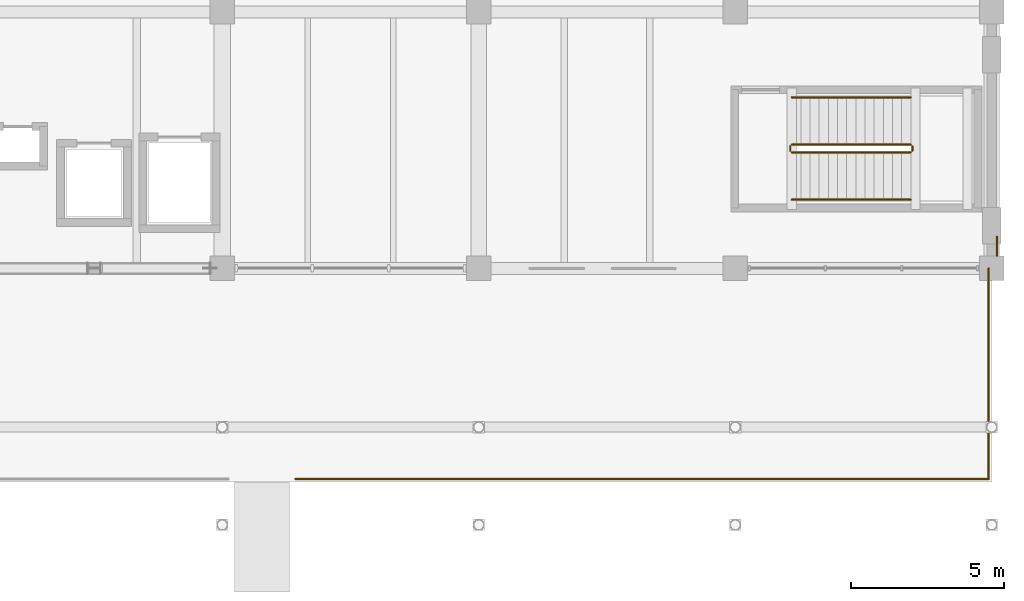
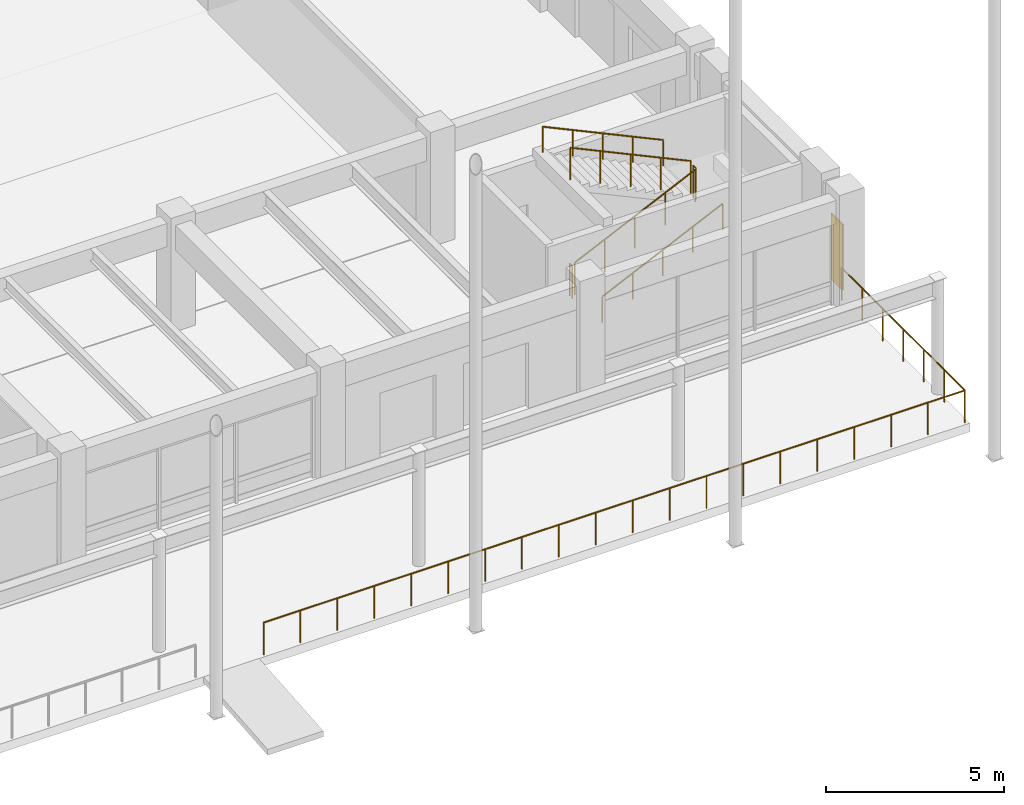
# One storey, part 128 of 135: 8 railings, 1 covering.
"""IFC4 building model written with IfcOpenShell, lengths in metres."""

from ifc_helpers import new_model, si_unit, direction, frame, origin, origin_2d, place, context, subcontext, project, spatial, polyline, circle, outline, extrude, material, layer, layer_set, type_object, element, save


model = new_model("IFC4")

# Units and contexts
model_context = context("Model", 3, precision=1e-05, world=origin(), true_north=direction((0.0, 1.0)))
body_context = subcontext(model_context, "Body", "Model", "MODEL_VIEW")
ifc_project = project(units=[si_unit("LENGTHUNIT", "METRE"), si_unit("AREAUNIT", "SQUARE_METRE"), si_unit("VOLUMEUNIT", "CUBIC_METRE"), si_unit("PLANEANGLEUNIT", "RADIAN"), si_unit("MASSUNIT", "GRAM", prefix="KILO")], contexts=[model_context])

# Site, building, storey
site_placement = place(None, origin())
site = spatial("IfcSite", under=ifc_project, at=site_placement, CompositionType="ELEMENT")
building_placement = place(site_placement, origin())
building = spatial("IfcBuilding", under=site, at=building_placement, Name="Cumbredor Promenade Congress Hotel", CompositionType="ELEMENT")
storey_placement = place(building_placement, origin())
storey = spatial("IfcBuildingStorey", under=building, at=storey_placement, Name="L00", CompositionType="ELEMENT", Elevation=0.0)

# Covering
ifc_material_1 = material(Name="Precast concrete C40/50", Category="concrete")
ifc_layer = layer(ifc_material_1, 0.044921875, Name="Precast concrete C40/50", Category="concrete")
ifc_layer_set = layer_set([ifc_layer], Name="Precast concrete C40/50")
covering_type = type_object("IfcCoveringType", Name="Board-Formed Architectural Cladding Panel 45mm", PredefinedType="CLADDING", material=ifc_layer_set)
covering_placement = place(storey_placement, origin())
element("IfcCovering", 1, at=covering_placement, inside=storey, type_object=covering_type, Name="L00 Facade Stone Cladding Pier 016", PredefinedType="CLADDING", context=body_context, shape_type="SweptSolid", body=[
    extrude(outline(polyline([(184.949951171875, 8.801025390625), (184.949951171875, 9.450927734375), (184.9951171875, 9.450927734375), (184.9951171875, 8.801025390625), (184.949951171875, 8.801025390625)])), origin(), (0.0, 0.0, 1.0), 2.25),
])

# Railings
ifc_material_2 = material(Name="Brushed stainless steel", Category="steel")
railing_type_1 = type_object("IfcRailingType", Name="Interior Void & Stair Guardrail GR-1100", PredefinedType="GUARDRAIL", material=ifc_material_2)
railing_1_placement = place(storey_placement, frame((178.25, 12.199951171875, 0.139892578125)))
element("IfcRailing", 2, at=railing_1_placement, inside=storey, type_object=railing_type_1, Name="L00 ST-09 stair guard 1", PredefinedType="GUARDRAIL", context=body_context, shape_type="SweptSolid", body=[
    extrude(circle(Radius=0.02392578125, at=origin_2d()), frame((0.0, 0.0, 1.09619140625), z_axis=(0.906172994947, 0.0, 0.42290720404), x_axis=(0.0, 1.0, 0.0)), (0.0, 0.0, 1.0), 4.3037109375),
    extrude(circle(Radius=0.02099609375, at=origin_2d()), origin(), (0.0, 0.0, 1.0), 1.072021484375),
    extrude(circle(Radius=0.02099609375, at=origin_2d()), frame((0.97509765625, 0.0, 0.455078125)), (0.0, 0.0, 1.0), 1.072021484375),
    extrude(circle(Radius=0.02099609375, at=origin_2d()), frame((1.949951171875, 0.0, 0.91015625)), (0.0, 0.0, 1.0), 1.072021484375),
    extrude(circle(Radius=0.02099609375, at=origin_2d()), frame((2.9248046875, 0.0, 1.364990234375)), (0.0, 0.0, 1.0), 1.072021484375),
    extrude(circle(Radius=0.02099609375, at=origin_2d()), frame((3.89990234375, 0.0, 1.820068359375)), (0.0, 0.0, 1.0), 1.072021484375),
])
railing_2_placement = place(storey_placement, frame((182.199951171875, 12.25, 1.9599609375)))
element("IfcRailing", 3, at=railing_2_placement, inside=storey, type_object=railing_type_1, Name="L00 ST-09 stair guard 2", PredefinedType="GUARDRAIL", context=body_context, shape_type="SweptSolid", body=[
    extrude(circle(Radius=0.02392578125, at=origin_2d()), frame((0.0, 0.0, 1.09619140625), z_axis=(0.0, 1.0, 0.0), x_axis=(-1.0, 0.0, 0.0)), (0.0, 0.0, 1.0), 0.14990234375),
    extrude(circle(Radius=0.02099609375, at=origin_2d()), origin(), (0.0, 0.0, 1.0), 1.072021484375),
    extrude(circle(Radius=0.02099609375, at=origin_2d()), frame((0.0, 0.14990234375, 0.0)), (0.0, 0.0, 1.0), 1.072021484375),
])
railing_3_placement = place(storey_placement, frame((182.14990234375, 12.449951171875, 2.10009765625)))
element("IfcRailing", 4, at=railing_3_placement, inside=storey, type_object=railing_type_1, Name="L00 ST-09 stair guard 3", PredefinedType="GUARDRAIL", context=body_context, shape_type="SweptSolid", body=[
    extrude(circle(Radius=0.02392578125, at=origin_2d()), frame((0.0, 0.0, 1.09619140625), z_axis=(-0.906194733976, 0.0, 0.422860620199), x_axis=(0.0, -1.0, 0.0)), (0.0, 0.0, 1.0), 4.3037109375),
    extrude(circle(Radius=0.02099609375, at=origin_2d()), origin(), (0.0, 0.0, 1.0), 1.072021484375),
    extrude(circle(Radius=0.02099609375, at=origin_2d()), frame((-0.97509765625, 0.0, 0.455078125)), (0.0, 0.0, 1.0), 1.072021484375),
    extrude(circle(Radius=0.02099609375, at=origin_2d()), frame((-1.949951171875, 0.0, 0.909912109375)), (0.0, 0.0, 1.0), 1.072021484375),
    extrude(circle(Radius=0.02099609375, at=origin_2d()), frame((-2.9248046875, 0.0, 1.36474609375)), (0.0, 0.0, 1.0), 1.072021484375),
    extrude(circle(Radius=0.02099609375, at=origin_2d()), frame((-3.89990234375, 0.0, 1.81982421875)), (0.0, 0.0, 1.0), 1.072021484375),
])
railing_4_placement = place(storey_placement, frame((178.199951171875, 12.25, 0.0)))
element("IfcRailing", 5, at=railing_4_placement, inside=storey, type_object=railing_type_1, Name="L00 ST-09 stair guard 4", PredefinedType="GUARDRAIL", context=body_context, shape_type="SweptSolid", body=[
    extrude(circle(Radius=0.02392578125, at=origin_2d()), frame((0.0, 0.0, 1.09619140625), z_axis=(0.0, 1.0, 0.0), x_axis=(-1.0, 0.0, 0.0)), (0.0, 0.0, 1.0), 0.14990234375),
    extrude(circle(Radius=0.02099609375, at=origin_2d()), origin(), (0.0, 0.0, 1.0), 1.072021484375),
    extrude(circle(Radius=0.02099609375, at=origin_2d()), frame((0.0, 0.14990234375, 0.0)), (0.0, 0.0, 1.0), 1.072021484375),
])
railing_type_2 = type_object("IfcRailingType", Name="Stair Pitch Handrail HR-900", PredefinedType="HANDRAIL", material=ifc_material_2)
railing_5_placement = place(storey_placement, frame((178.25, 10.64990234375, 0.139892578125)))
element("IfcRailing", 6, at=railing_5_placement, inside=storey, type_object=railing_type_2, Name="L00 ST-09 stair handrail 1", PredefinedType="HANDRAIL", context=body_context, shape_type="SweptSolid", body=[
    extrude(circle(Radius=0.02392578125, at=origin_2d()), frame((0.0, 0.0, 0.8759765625), z_axis=(0.906172994947, 0.0, 0.42290720404), x_axis=(0.0, 1.0, 0.0)), (0.0, 0.0, 1.0), 4.3037109375),
    extrude(circle(Radius=0.02099609375, at=origin_2d()), origin(), (0.0, 0.0, 1.0), 0.851806640625),
    extrude(circle(Radius=0.02099609375, at=origin_2d()), frame((0.97509765625, 0.0, 0.455078125)), (0.0, 0.0, 1.0), 0.851806640625),
    extrude(circle(Radius=0.02099609375, at=origin_2d()), frame((1.949951171875, 0.0, 0.91015625)), (0.0, 0.0, 1.0), 0.851806640625),
    extrude(circle(Radius=0.02099609375, at=origin_2d()), frame((2.9248046875, 0.0, 1.364990234375)), (0.0, 0.0, 1.0), 0.851806640625),
    extrude(circle(Radius=0.02099609375, at=origin_2d()), frame((3.89990234375, 0.0, 1.820068359375)), (0.0, 0.0, 1.0), 0.851806640625),
])
railing_6_placement = place(storey_placement, frame((182.14990234375, 14.0, 2.10009765625)))
element("IfcRailing", 7, at=railing_6_placement, inside=storey, type_object=railing_type_2, Name="L00 ST-09 stair handrail 2", PredefinedType="HANDRAIL", context=body_context, shape_type="SweptSolid", body=[
    extrude(circle(Radius=0.02392578125, at=origin_2d()), frame((0.0, 0.0, 0.8759765625), z_axis=(-0.906194733976, 0.0, 0.422860620199), x_axis=(0.0, -1.0, 0.0)), (0.0, 0.0, 1.0), 4.3037109375),
    extrude(circle(Radius=0.02099609375, at=origin_2d()), origin(), (0.0, 0.0, 1.0), 0.851806640625),
    extrude(circle(Radius=0.02099609375, at=origin_2d()), frame((-0.97509765625, 0.0, 0.455078125)), (0.0, 0.0, 1.0), 0.851806640625),
    extrude(circle(Radius=0.02099609375, at=origin_2d()), frame((-1.949951171875, 0.0, 0.909912109375)), (0.0, 0.0, 1.0), 0.851806640625),
    extrude(circle(Radius=0.02099609375, at=origin_2d()), frame((-2.9248046875, 0.0, 1.36474609375)), (0.0, 0.0, 1.0), 0.851806640625),
    extrude(circle(Radius=0.02099609375, at=origin_2d()), frame((-3.89990234375, 0.0, 1.81982421875)), (0.0, 0.0, 1.0), 0.851806640625),
])
railing_type_3 = type_object("IfcRailingType", Name="Terrace Perimeter Balustrade BAL-1120", PredefinedType="BALUSTRADE", material=ifc_material_2)
railing_7_placement = place(storey_placement, frame((162.0, 1.5, 0.0)))
element("IfcRailing", 8, at=railing_7_placement, inside=storey, type_object=railing_type_3, Name="L00 Promenade Terrace Balustrade 08", PredefinedType="BALUSTRADE", context=body_context, shape_type="SweptSolid", body=[
    extrude(circle(Radius=0.02392578125, at=origin_2d()), frame((0.0, 0.0, 1.09619140625), z_axis=(1.0, 0.0, 0.0), x_axis=(0.0, 1.0, 0.0)), (0.0, 0.0, 1.0), 22.699951171875),
    extrude(circle(Radius=0.02099609375, at=origin_2d()), origin(), (0.0, 0.0, 1.0), 1.072021484375),
    extrude(circle(Radius=0.02099609375, at=origin_2d()), frame((1.19482421875, 0.0, 0.0)), (0.0, 0.0, 1.0), 1.072021484375),
    extrude(circle(Radius=0.02099609375, at=origin_2d()), frame((2.389404296875, 0.0, 0.0)), (0.0, 0.0, 1.0), 1.072021484375),
    extrude(circle(Radius=0.02099609375, at=origin_2d()), frame((3.584228515625, 0.0, 0.0)), (0.0, 0.0, 1.0), 1.072021484375),
    extrude(circle(Radius=0.02099609375, at=origin_2d()), frame((4.779052734375, 0.0, 0.0)), (0.0, 0.0, 1.0), 1.072021484375),
    extrude(circle(Radius=0.02099609375, at=origin_2d()), frame((5.9736328125, 0.0, 0.0)), (0.0, 0.0, 1.0), 1.072021484375),
    extrude(circle(Radius=0.02099609375, at=origin_2d()), frame((7.16845703125, 0.0, 0.0)), (0.0, 0.0, 1.0), 1.072021484375),
    extrude(circle(Radius=0.02099609375, at=origin_2d()), frame((8.363037109375, 0.0, 0.0)), (0.0, 0.0, 1.0), 1.072021484375),
    extrude(circle(Radius=0.02099609375, at=origin_2d()), frame((9.557861328125, 0.0, 0.0)), (0.0, 0.0, 1.0), 1.072021484375),
    extrude(circle(Radius=0.02099609375, at=origin_2d()), frame((10.752685546875, 0.0, 0.0)), (0.0, 0.0, 1.0), 1.072021484375),
    extrude(circle(Radius=0.02099609375, at=origin_2d()), frame((11.947265625, 0.0, 0.0)), (0.0, 0.0, 1.0), 1.072021484375),
    extrude(circle(Radius=0.02099609375, at=origin_2d()), frame((13.14208984375, 0.0, 0.0)), (0.0, 0.0, 1.0), 1.072021484375),
    extrude(circle(Radius=0.02099609375, at=origin_2d()), frame((14.3369140625, 0.0, 0.0)), (0.0, 0.0, 1.0), 1.072021484375),
    extrude(circle(Radius=0.02099609375, at=origin_2d()), frame((15.531494140625, 0.0, 0.0)), (0.0, 0.0, 1.0), 1.072021484375),
    extrude(circle(Radius=0.02099609375, at=origin_2d()), frame((16.726318359375, 0.0, 0.0)), (0.0, 0.0, 1.0), 1.072021484375),
    extrude(circle(Radius=0.02099609375, at=origin_2d()), frame((17.9208984375, 0.0, 0.0)), (0.0, 0.0, 1.0), 1.072021484375),
    extrude(circle(Radius=0.02099609375, at=origin_2d()), frame((19.11572265625, 0.0, 0.0)), (0.0, 0.0, 1.0), 1.072021484375),
    extrude(circle(Radius=0.02099609375, at=origin_2d()), frame((20.310546875, 0.0, 0.0)), (0.0, 0.0, 1.0), 1.072021484375),
    extrude(circle(Radius=0.02099609375, at=origin_2d()), frame((21.505126953125, 0.0, 0.0)), (0.0, 0.0, 1.0), 1.072021484375),
    extrude(circle(Radius=0.02099609375, at=origin_2d()), frame((22.699951171875, 0.0, 0.0)), (0.0, 0.0, 1.0), 1.072021484375),
])
railing_8_placement = place(storey_placement, frame((184.699951171875, 1.5, 0.0)))
element("IfcRailing", 9, at=railing_8_placement, inside=storey, type_object=railing_type_3, Name="L00 Promenade Terrace Balustrade 10", PredefinedType="BALUSTRADE", context=body_context, shape_type="SweptSolid", body=[
    extrude(circle(Radius=0.02392578125, at=origin_2d()), frame((0.0, 0.0, 1.09619140625), z_axis=(0.0, 1.0, 0.0), x_axis=(-1.0, 0.0, 0.0)), (0.0, 0.0, 1.0), 6.89990234375),
    extrude(circle(Radius=0.02099609375, at=origin_2d()), origin(), (0.0, 0.0, 1.0), 1.072021484375),
    extrude(circle(Radius=0.02099609375, at=origin_2d()), frame((0.0, 1.14990234375, 0.0)), (0.0, 0.0, 1.0), 1.072021484375),
    extrude(circle(Radius=0.02099609375, at=origin_2d()), frame((0.0, 2.300048828125, 0.0)), (0.0, 0.0, 1.0), 1.072021484375),
    extrude(circle(Radius=0.02099609375, at=origin_2d()), frame((0.0, 3.449951171875, 0.0)), (0.0, 0.0, 1.0), 1.072021484375),
    extrude(circle(Radius=0.02099609375, at=origin_2d()), frame((0.0, 4.599853515625, 0.0)), (0.0, 0.0, 1.0), 1.072021484375),
    extrude(circle(Radius=0.02099609375, at=origin_2d()), frame((0.0, 5.75, 0.0)), (0.0, 0.0, 1.0), 1.072021484375),
    extrude(circle(Radius=0.02099609375, at=origin_2d()), frame((0.0, 6.89990234375, 0.0)), (0.0, 0.0, 1.0), 1.072021484375),
])

save(model, "model.ifc")
